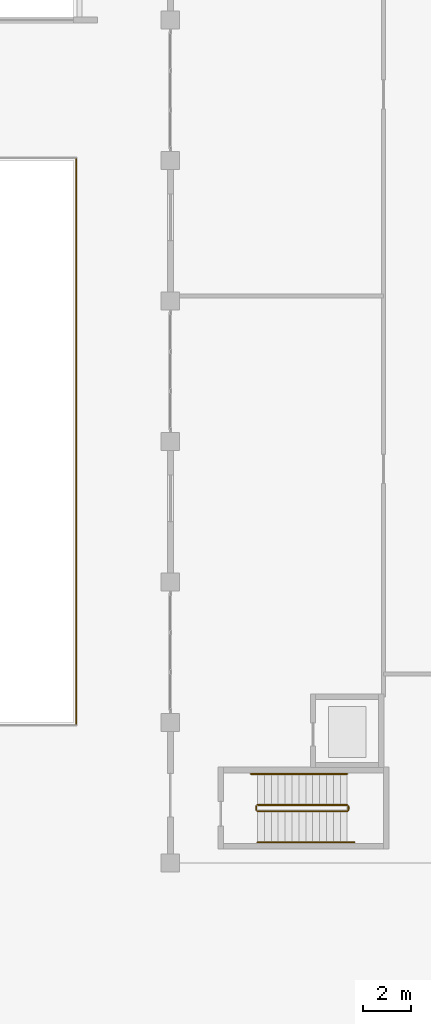
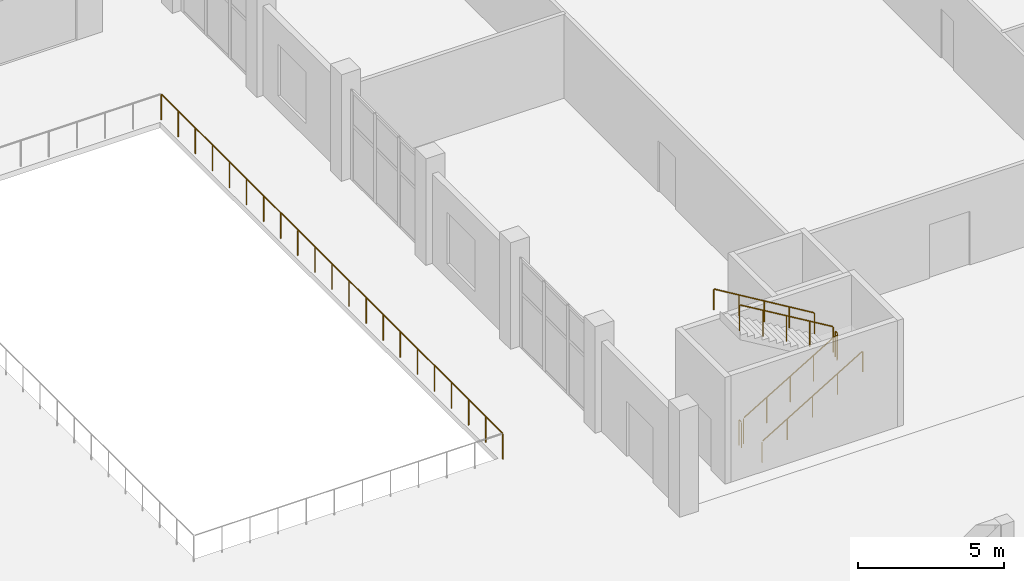
# One storey, part 119 of 132: 7 railings.
"""IFC4 building model written with IfcOpenShell, lengths in metres."""

from ifc_helpers import new_model, si_unit, direction, frame, origin, origin_2d, place, context, subcontext, project, spatial, circle, extrude, material, type_object, element, save


model = new_model("IFC4")

# Units and contexts
model_context = context("Model", 3, precision=1e-05, world=origin(), true_north=direction((0.0, 1.0)))
body_context = subcontext(model_context, "Body", "Model", "MODEL_VIEW")
ifc_project = project(units=[si_unit("LENGTHUNIT", "METRE"), si_unit("AREAUNIT", "SQUARE_METRE"), si_unit("VOLUMEUNIT", "CUBIC_METRE"), si_unit("PLANEANGLEUNIT", "RADIAN"), si_unit("MASSUNIT", "GRAM", prefix="KILO")], contexts=[model_context])

# Site, building, storey
site_placement = place(None, origin())
site = spatial("IfcSite", under=ifc_project, at=site_placement, CompositionType="ELEMENT")
building_placement = place(site_placement, origin())
building = spatial("IfcBuilding", under=site, at=building_placement, Name="Tanwirah Colonnade Gardens", CompositionType="ELEMENT")
storey_placement = place(building_placement, origin())
storey = spatial("IfcBuildingStorey", under=building, at=storey_placement, Name="L00", CompositionType="ELEMENT", Elevation=0.0)

# Railings
ifc_material_1 = material(Name="Powder-coated galvanized steel", Category="steel")
railing_type_1 = type_object("IfcRailingType", Name="GRD-ST110", PredefinedType="GUARDRAIL", material=ifc_material_1)
railing_1_placement = place(storey_placement, frame((81.60009765625, 41.929931640625, 0.169921875)))
element("IfcRailing", 1, at=railing_1_placement, inside=storey, type_object=railing_type_1, Name="L00 ST-H1 stair guard 1", PredefinedType="GUARDRAIL", context=body_context, shape_type="SweptSolid", body=[
    extrude(circle(Radius=0.02392578125, at=origin_2d()), frame((0.02685546875, 0.0, 1.092041015625), z_axis=(0.858813389417, 0.0, 0.512288553608), x_axis=(0.0, 1.0, 0.0)), (0.0, 0.0, 1.0), 4.25146484375),
    extrude(circle(Radius=0.02099609375, at=origin_2d()), origin(), (0.0, 0.0, 1.0), 1.049072265625),
    extrude(circle(Radius=0.02099609375, at=origin_2d()), frame((0.92626953125, 0.0, 0.552490234375)), (0.0, 0.0, 1.0), 1.049072265625),
    extrude(circle(Radius=0.02099609375, at=origin_2d()), frame((1.8525390625, 0.0, 1.10498046875)), (0.0, 0.0, 1.0), 1.049072265625),
    extrude(circle(Radius=0.02099609375, at=origin_2d()), frame((2.778564453125, 0.0, 1.657470703125)), (0.0, 0.0, 1.0), 1.049072265625),
    extrude(circle(Radius=0.02099609375, at=origin_2d()), frame((3.704833984375, 0.0, 2.2099609375)), (0.0, 0.0, 1.0), 1.049072265625),
])
railing_2_placement = place(storey_placement, frame((85.35498046875, 41.97998046875, 2.3798828125)))
element("IfcRailing", 2, at=railing_2_placement, inside=storey, type_object=railing_type_1, Name="L00 ST-H1 stair guard 2", PredefinedType="GUARDRAIL", context=body_context, shape_type="SweptSolid", body=[
    extrude(circle(Radius=0.02392578125, at=origin_2d()), frame((0.0, 0.03125, 1.076171875), z_axis=(0.0, 1.0, 0.0), x_axis=(-1.0, 0.0, 0.0)), (0.0, 0.0, 1.0), 0.097412109375),
    extrude(circle(Radius=0.02099609375, at=origin_2d()), origin(), (0.0, 0.0, 1.0), 1.049072265625),
    extrude(circle(Radius=0.02099609375, at=origin_2d()), frame((0.0, 0.159912109375, 0.0)), (0.0, 0.0, 1.0), 1.049072265625),
])
railing_3_placement = place(storey_placement, frame((85.304931640625, 42.18994140625, 2.550048828125)))
element("IfcRailing", 3, at=railing_3_placement, inside=storey, type_object=railing_type_1, Name="L00 ST-H1 stair guard 3", PredefinedType="GUARDRAIL", context=body_context, shape_type="SweptSolid", body=[
    extrude(circle(Radius=0.02392578125, at=origin_2d()), frame((-0.02685546875, 0.0, 1.092041015625), z_axis=(-0.858813389417, 0.0, 0.512288553608), x_axis=(0.0, -1.0, 0.0)), (0.0, 0.0, 1.0), 4.25146484375),
    extrude(circle(Radius=0.02099609375, at=origin_2d()), origin(), (0.0, 0.0, 1.0), 1.049072265625),
    extrude(circle(Radius=0.02099609375, at=origin_2d()), frame((-0.92626953125, 0.0, 0.552490234375)), (0.0, 0.0, 1.0), 1.049072265625),
    extrude(circle(Radius=0.02099609375, at=origin_2d()), frame((-1.8525390625, 0.0, 1.10498046875)), (0.0, 0.0, 1.0), 1.049072265625),
    extrude(circle(Radius=0.02099609375, at=origin_2d()), frame((-2.778564453125, 0.0, 1.657470703125)), (0.0, 0.0, 1.0), 1.049072265625),
    extrude(circle(Radius=0.02099609375, at=origin_2d()), frame((-3.704833984375, 0.0, 2.2099609375)), (0.0, 0.0, 1.0), 1.049072265625),
])
railing_4_placement = place(storey_placement, frame((81.550048828125, 41.97998046875, 0.0)))
element("IfcRailing", 4, at=railing_4_placement, inside=storey, type_object=railing_type_1, Name="L00 ST-H1 stair guard 4", PredefinedType="GUARDRAIL", context=body_context, shape_type="SweptSolid", body=[
    extrude(circle(Radius=0.02392578125, at=origin_2d()), frame((0.0, 0.03125, 1.076171875), z_axis=(0.0, 1.0, 0.0), x_axis=(-1.0, 0.0, 0.0)), (0.0, 0.0, 1.0), 0.097412109375),
    extrude(circle(Radius=0.02099609375, at=origin_2d()), origin(), (0.0, 0.0, 1.0), 1.049072265625),
    extrude(circle(Radius=0.02099609375, at=origin_2d()), frame((0.0, 0.159912109375, 0.0)), (0.0, 0.0, 1.0), 1.049072265625),
])
railing_5_placement = place(storey_placement, frame((74.1201171875, 45.47998046875, 0.0)))
element("IfcRailing", 5, at=railing_5_placement, inside=storey, type_object=railing_type_1, Name="Courtyard Sunken Garden Perimeter Guard 1.2", PredefinedType="GUARDRAIL", context=body_context, shape_type="SweptSolid", body=[
    extrude(circle(Radius=0.02392578125, at=origin_2d()), frame((0.0, 0.03125, 1.076171875), z_axis=(0.0, 1.0, 0.0), x_axis=(-1.0, 0.0, 0.0)), (0.0, 0.0, 1.0), 23.37744140625),
    extrude(circle(Radius=0.02099609375, at=origin_2d()), origin(), (0.0, 0.0, 1.0), 1.049072265625),
    extrude(circle(Radius=0.02099609375, at=origin_2d()), frame((0.0, 1.171875, 0.0)), (0.0, 0.0, 1.0), 1.049072265625),
    extrude(circle(Radius=0.02099609375, at=origin_2d()), frame((0.0, 2.343994140625, 0.0)), (0.0, 0.0, 1.0), 1.049072265625),
    extrude(circle(Radius=0.02099609375, at=origin_2d()), frame((0.0, 3.51611328125, 0.0)), (0.0, 0.0, 1.0), 1.049072265625),
    extrude(circle(Radius=0.02099609375, at=origin_2d()), frame((0.0, 4.68798828125, 0.0)), (0.0, 0.0, 1.0), 1.049072265625),
    extrude(circle(Radius=0.02099609375, at=origin_2d()), frame((0.0, 5.85986328125, 0.0)), (0.0, 0.0, 1.0), 1.049072265625),
    extrude(circle(Radius=0.02099609375, at=origin_2d()), frame((0.0, 7.031982421875, 0.0)), (0.0, 0.0, 1.0), 1.049072265625),
    extrude(circle(Radius=0.02099609375, at=origin_2d()), frame((0.0, 8.2041015625, 0.0)), (0.0, 0.0, 1.0), 1.049072265625),
    extrude(circle(Radius=0.02099609375, at=origin_2d()), frame((0.0, 9.3759765625, 0.0)), (0.0, 0.0, 1.0), 1.049072265625),
    extrude(circle(Radius=0.02099609375, at=origin_2d()), frame((0.0, 10.5478515625, 0.0)), (0.0, 0.0, 1.0), 1.049072265625),
    extrude(circle(Radius=0.02099609375, at=origin_2d()), frame((0.0, 11.719970703125, 0.0)), (0.0, 0.0, 1.0), 1.049072265625),
    extrude(circle(Radius=0.02099609375, at=origin_2d()), frame((0.0, 12.89208984375, 0.0)), (0.0, 0.0, 1.0), 1.049072265625),
    extrude(circle(Radius=0.02099609375, at=origin_2d()), frame((0.0, 14.06396484375, 0.0)), (0.0, 0.0, 1.0), 1.049072265625),
    extrude(circle(Radius=0.02099609375, at=origin_2d()), frame((0.0, 15.23583984375, 0.0)), (0.0, 0.0, 1.0), 1.049072265625),
    extrude(circle(Radius=0.02099609375, at=origin_2d()), frame((0.0, 16.407958984375, 0.0)), (0.0, 0.0, 1.0), 1.049072265625),
    extrude(circle(Radius=0.02099609375, at=origin_2d()), frame((0.0, 17.580078125, 0.0)), (0.0, 0.0, 1.0), 1.049072265625),
    extrude(circle(Radius=0.02099609375, at=origin_2d()), frame((0.0, 18.751953125, 0.0)), (0.0, 0.0, 1.0), 1.049072265625),
    extrude(circle(Radius=0.02099609375, at=origin_2d()), frame((0.0, 19.923828125, 0.0)), (0.0, 0.0, 1.0), 1.049072265625),
    extrude(circle(Radius=0.02099609375, at=origin_2d()), frame((0.0, 21.095947265625, 0.0)), (0.0, 0.0, 1.0), 1.049072265625),
    extrude(circle(Radius=0.02099609375, at=origin_2d()), frame((0.0, 22.26806640625, 0.0)), (0.0, 0.0, 1.0), 1.049072265625),
    extrude(circle(Radius=0.02099609375, at=origin_2d()), frame((0.0, 23.43994140625, 0.0)), (0.0, 0.0, 1.0), 1.049072265625),
])
ifc_material_2 = material(Name="Brushed bronze stainless steel", Category="steel")
railing_type_2 = type_object("IfcRailingType", Name="HR-ST090", PredefinedType="HANDRAIL", material=ifc_material_2)
railing_6_placement = place(storey_placement, frame((81.60009765625, 40.64990234375, 0.169921875)))
element("IfcRailing", 6, at=railing_6_placement, inside=storey, type_object=railing_type_2, Name="L00 ST-H1 stair handrail 1", PredefinedType="HANDRAIL", context=body_context, shape_type="SweptSolid", body=[
    extrude(circle(Radius=0.02392578125, at=origin_2d()), frame((0.02685546875, 0.0, 0.891845703125), z_axis=(0.857094710663, 0.0, 0.515158865743), x_axis=(0.0, 1.0, 0.0)), (0.0, 0.0, 1.0), 4.5927734375),
    extrude(circle(Radius=0.02099609375, at=origin_2d()), origin(), (0.0, 0.0, 1.0), 0.848876953125),
    extrude(circle(Radius=0.02099609375, at=origin_2d()), frame((0.99755859375, 0.0, 0.599609375)), (0.0, 0.0, 1.0), 0.848876953125),
    extrude(circle(Radius=0.02099609375, at=origin_2d()), frame((1.9951171875, 0.0, 1.19921875)), (0.0, 0.0, 1.0), 0.848876953125),
    extrude(circle(Radius=0.02099609375, at=origin_2d()), frame((2.992431640625, 0.0, 1.798583984375)), (0.0, 0.0, 1.0), 0.848876953125),
    extrude(circle(Radius=0.02099609375, at=origin_2d()), frame((3.989990234375, 0.0, 2.398193359375)), (0.0, 0.0, 1.0), 0.848876953125),
])
railing_7_placement = place(storey_placement, frame((85.304931640625, 43.469970703125, 2.550048828125)))
element("IfcRailing", 7, at=railing_7_placement, inside=storey, type_object=railing_type_2, Name="L00 ST-H1 stair handrail 2", PredefinedType="HANDRAIL", context=body_context, shape_type="SweptSolid", body=[
    extrude(circle(Radius=0.02392578125, at=origin_2d()), frame((-0.02685546875, 0.0, 0.891845703125), z_axis=(-0.857117866608, 0.0, 0.515120338116), x_axis=(0.0, -1.0, 0.0)), (0.0, 0.0, 1.0), 4.592529296875),
    extrude(circle(Radius=0.02099609375, at=origin_2d()), origin(), (0.0, 0.0, 1.0), 0.848876953125),
    extrude(circle(Radius=0.02099609375, at=origin_2d()), frame((-0.99755859375, 0.0, 0.599609375)), (0.0, 0.0, 1.0), 0.848876953125),
    extrude(circle(Radius=0.02099609375, at=origin_2d()), frame((-1.9951171875, 0.0, 1.198974609375)), (0.0, 0.0, 1.0), 0.848876953125),
    extrude(circle(Radius=0.02099609375, at=origin_2d()), frame((-2.992431640625, 0.0, 1.79833984375)), (0.0, 0.0, 1.0), 0.848876953125),
    extrude(circle(Radius=0.02099609375, at=origin_2d()), frame((-3.989990234375, 0.0, 2.39794921875)), (0.0, 0.0, 1.0), 0.848876953125),
])

save(model, "model.ifc")
